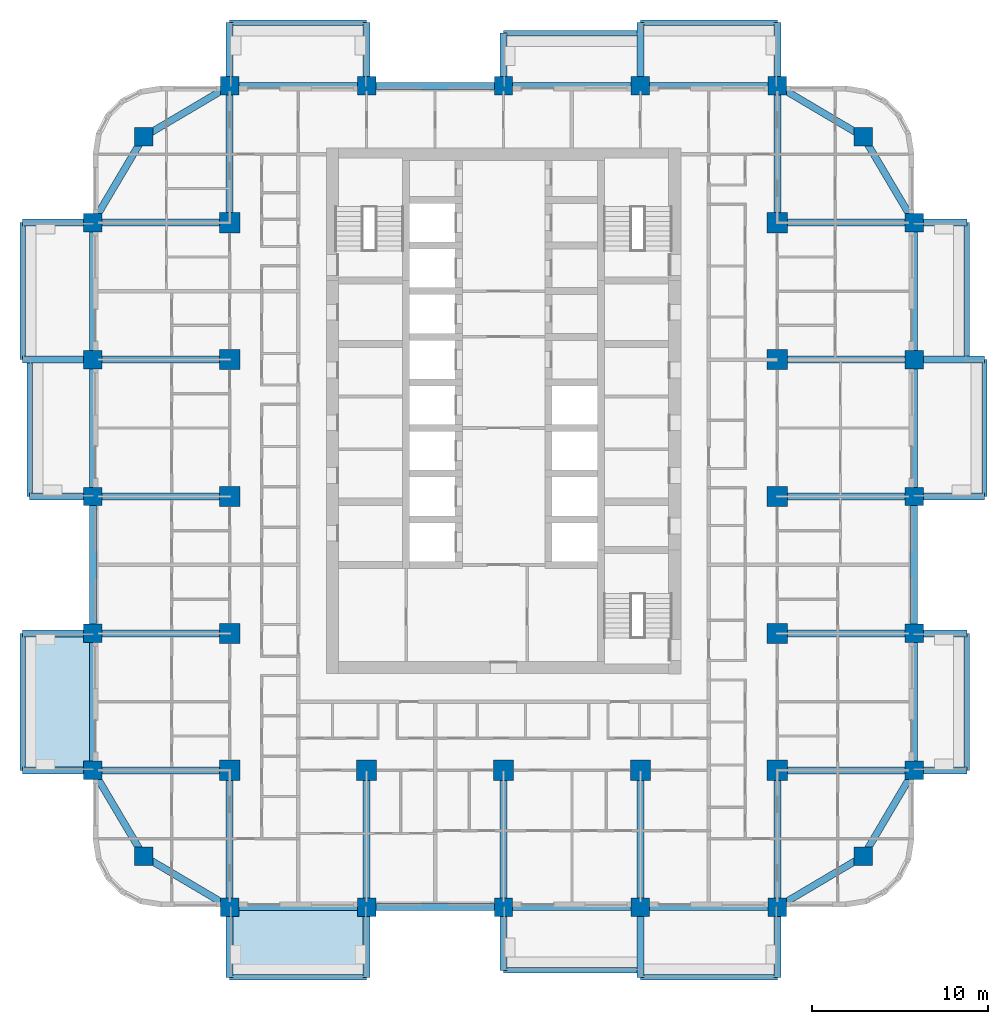
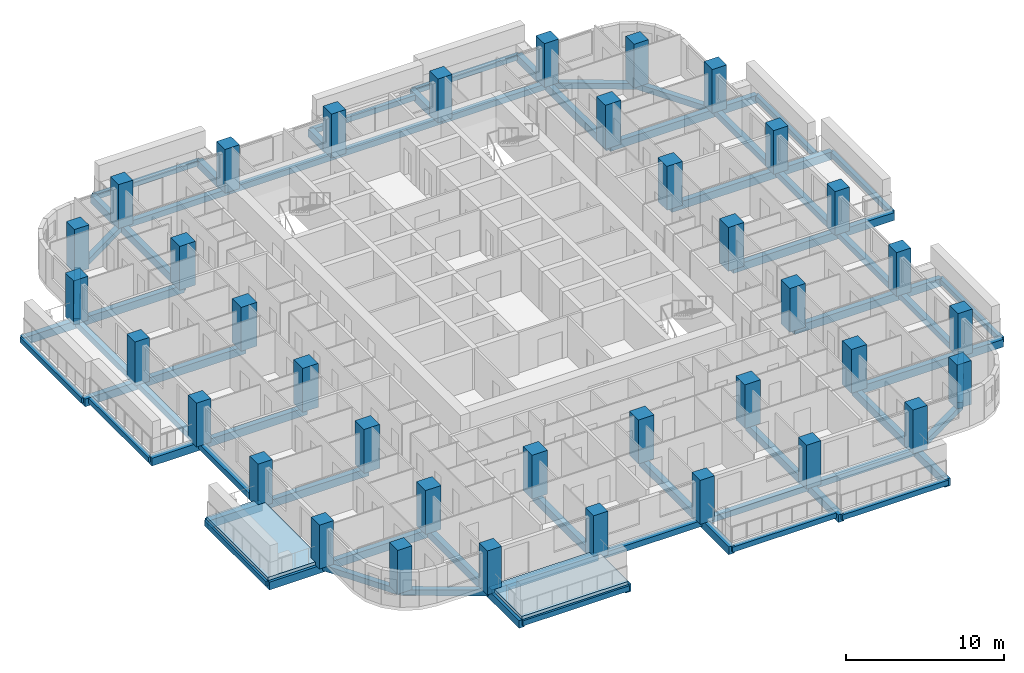
# One storey, part 1 of 18: 73 beams, 37 columns, 2 slabs.
"""IFC4 building model written with IfcOpenShell, lengths in metres."""

from ifc_helpers import new_model, si_unit, direction, frame, origin, origin_2d, place, context, subcontext, project, spatial, polyline, rectangle, outline, extrude, material, layer, layer_set, material_profile, profile_set, type_object, element, save


model = new_model("IFC4")

# Units and contexts
model_context = context("Model", 3, precision=1e-05, world=origin(), true_north=direction((0.0, 1.0)))
body_context = subcontext(model_context, "Body", "Model", "MODEL_VIEW")
ifc_project = project(units=[si_unit("LENGTHUNIT", "METRE"), si_unit("AREAUNIT", "SQUARE_METRE"), si_unit("VOLUMEUNIT", "CUBIC_METRE"), si_unit("PLANEANGLEUNIT", "RADIAN"), si_unit("MASSUNIT", "GRAM", prefix="KILO")], contexts=[model_context])

# Site, building, storey
site_placement = place(None, origin())
site = spatial("IfcSite", under=ifc_project, at=site_placement, CompositionType="ELEMENT")
building_placement = place(site_placement, origin())
building = spatial("IfcBuilding", under=site, at=building_placement, Name="Ludao Terraces", CompositionType="ELEMENT")
storey_placement = place(building_placement, frame((0.0, 0.0, 33.10009765625)))
storey = spatial("IfcBuildingStorey", under=building, at=storey_placement, Name="L08", CompositionType="ELEMENT", Elevation=33.10009765625)

# Columns
ifc_material_1 = material(Name="Concrete C60", Category="concrete")
ifc_material_profile_1 = material_profile(ifc_material_1, rectangle(XDim=1.050048828125, YDim=1.050048828125, at=origin_2d()), Name="1050 X 1050")
ifc_profile_set_1 = profile_set([ifc_material_profile_1], Name="Concrete C60")
column_type_1 = type_object("IfcColumnType", Name="RC column 1050x1050 C60", PredefinedType="COLUMN", material=ifc_profile_set_1)
for number, where, z_axis, x_axis, name in (
    (1, (64.5, 44.5, -0.25), (0.0, 0.0, 1.0), (1.0, 0.0, 0.0), "Column L08 C0029x0029"),
    (2, (105.5, 44.5, -0.25), (0.0, 0.0, 1.0), (1.0, 0.0, 0.0), "Column L08 C0439x0029"),
    (3, (64.5, 85.5, -0.25), (0.0, 0.0, 1.0), (1.0, 0.0, 0.0), "Column L08 C0029x0439"),
    (4, (105.5, 85.5, -0.25), (0.0, 0.0, 1.0), (1.0, 0.0, 0.0), "Column L08 C0439x0439"),
    (5, (61.60009765625, 49.39990234375, -0.25), (0.0, 0.0, 1.0), (1.0, 0.0, 0.0), "Column L08 F0000x0078"),
    (6, (108.39990234375, 49.39990234375, -0.25), (0.0, 0.0, 1.0), (1.0, 0.0, 0.0), "Column L08 F0468x0078"),
    (7, (69.39990234375, 41.60009765625, -0.25), (0.0, 0.0, 1.0), (1.0, 0.0, 0.0), "Column L08 F0078x0000"),
    (8, (69.39990234375, 88.39990234375, -0.25), (0.0, 0.0, 1.0), (1.0, 0.0, 0.0), "Column L08 F0078x0468"),
    (9, (61.60009765625, 57.199951171875, -0.25), (0.0, 0.0, 1.0), (1.0, 0.0, 0.0), "Column L08 F0000x0156"),
    (10, (108.39990234375, 57.199951171875, -0.25), (0.0, 0.0, 1.0), (1.0, 0.0, 0.0), "Column L08 F0468x0156"),
    (11, (77.199951171875, 41.60009765625, -0.25), (0.0, 0.0, 1.0), (1.0, 0.0, 0.0), "Column L08 F0156x0000"),
    (12, (77.199951171875, 88.39990234375, -0.25), (0.0, 0.0, 1.0), (1.0, 0.0, 0.0), "Column L08 F0156x0468"),
    (13, (61.60009765625, 65.0, -0.25), (0.0, 0.0, 1.0), (1.0, 0.0, 0.0), "Column L08 F0000x0234"),
    (14, (108.39990234375, 65.0, -0.25), (0.0, 0.0, 1.0), (1.0, 0.0, 0.0), "Column L08 F0468x0234"),
    (15, (85.0, 41.60009765625, -0.25), (0.0, 0.0, 1.0), (1.0, 0.0, 0.0), "Column L08 F0234x0000"),
    (16, (85.0, 88.39990234375, -0.25), (0.0, 0.0, 1.0), (1.0, 0.0, 0.0), "Column L08 F0234x0468"),
    (17, (61.60009765625, 72.800048828125, -0.25), (0.0, 0.0, 1.0), (1.0, 0.0, 0.0), "Column L08 F0000x0312"),
    (18, (108.39990234375, 72.800048828125, -0.25), (0.0, 0.0, 1.0), (1.0, 0.0, 0.0), "Column L08 F0468x0312"),
    (19, (92.800048828125, 41.60009765625, -0.25), (0.0, 0.0, 1.0), (1.0, 0.0, 0.0), "Column L08 F0312x0000"),
    (20, (92.800048828125, 88.39990234375, -0.25), (0.0, 0.0, 1.0), (1.0, 0.0, 0.0), "Column L08 F0312x0468"),
    (21, (61.60009765625, 80.60009765625, -0.25), (0.0, 0.0, 1.0), (1.0, 0.0, 0.0), "Column L08 F0000x0390"),
    (22, (108.39990234375, 80.60009765625, -0.25), (0.0, 0.0, 1.0), (1.0, 0.0, 0.0), "Column L08 F0468x0390"),
    (23, (100.60009765625, 41.60009765625, -0.25), (0.0, 0.0, 1.0), (1.0, 0.0, 0.0), "Column L08 F0390x0000"),
    (24, (100.60009765625, 88.39990234375, -0.25), (0.0, 0.0, 1.0), (1.0, 0.0, 0.0), "Column L08 F0390x0468"),
):
    element("IfcColumn", number, at=place(storey_placement, frame(where, z_axis=z_axis, x_axis=x_axis)), inside=storey, type_object=column_type_1, Name=name, PredefinedType="COLUMN", context=body_context, shape_type="SweptSolid", body=[
        extrude(rectangle(XDim=1.050048828125, YDim=1.050048828125, at=origin_2d()), origin(), (0.0, 0.0, 1.0), 3.39990234375),
    ])
ifc_material_profile_2 = material_profile(ifc_material_1, rectangle(XDim=1.14990234375, YDim=1.14990234375, at=origin_2d()), Name="1150 X 1150")
ifc_profile_set_2 = profile_set([ifc_material_profile_2], Name="Concrete C60")
column_type_2 = type_object("IfcColumnType", Name="RC column 1150x1150 C60", PredefinedType="COLUMN", material=ifc_profile_set_2)
for number, where, z_axis, x_axis, name in (
    (25, (69.39990234375, 49.39990234375, -0.25), (0.0, 0.0, 1.0), (1.0, 0.0, 0.0), "Column L08 S0078x0078"),
    (26, (69.39990234375, 57.199951171875, -0.25), (0.0, 0.0, 1.0), (1.0, 0.0, 0.0), "Column L08 S0078x0156"),
    (27, (69.39990234375, 65.0, -0.25), (0.0, 0.0, 1.0), (1.0, 0.0, 0.0), "Column L08 S0078x0234"),
    (28, (69.39990234375, 72.800048828125, -0.25), (0.0, 0.0, 1.0), (1.0, 0.0, 0.0), "Column L08 S0078x0312"),
    (29, (69.39990234375, 80.60009765625, -0.25), (0.0, 0.0, 1.0), (1.0, 0.0, 0.0), "Column L08 S0078x0390"),
    (30, (77.199951171875, 49.39990234375, -0.25), (0.0, 0.0, 1.0), (1.0, 0.0, 0.0), "Column L08 S0156x0078"),
    (31, (85.0, 49.39990234375, -0.25), (0.0, 0.0, 1.0), (1.0, 0.0, 0.0), "Column L08 S0234x0078"),
    (32, (92.800048828125, 49.39990234375, -0.25), (0.0, 0.0, 1.0), (1.0, 0.0, 0.0), "Column L08 S0312x0078"),
    (33, (100.60009765625, 49.39990234375, -0.25), (0.0, 0.0, 1.0), (1.0, 0.0, 0.0), "Column L08 S0390x0078"),
    (34, (100.60009765625, 57.199951171875, -0.25), (0.0, 0.0, 1.0), (1.0, 0.0, 0.0), "Column L08 S0390x0156"),
    (35, (100.60009765625, 65.0, -0.25), (0.0, 0.0, 1.0), (1.0, 0.0, 0.0), "Column L08 S0390x0234"),
    (36, (100.60009765625, 72.800048828125, -0.25), (0.0, 0.0, 1.0), (1.0, 0.0, 0.0), "Column L08 S0390x0312"),
    (37, (100.60009765625, 80.60009765625, -0.25), (0.0, 0.0, 1.0), (1.0, 0.0, 0.0), "Column L08 S0390x0390"),
):
    element("IfcColumn", number, at=place(storey_placement, frame(where, z_axis=z_axis, x_axis=x_axis)), inside=storey, type_object=column_type_2, Name=name, PredefinedType="COLUMN", context=body_context, shape_type="SweptSolid", body=[
        extrude(rectangle(XDim=1.14990234375, YDim=1.14990234375, at=origin_2d()), origin(), (0.0, 0.0, 1.0), 3.39990234375),
    ])

# Beams
ifc_material_2 = material(Name="Concrete C40", Category="concrete")
ifc_material_profile_3 = material_profile(ifc_material_2, rectangle(XDim=0.300048828125, YDim=0.39990234375, at=origin_2d()), Name="300 X 400")
ifc_profile_set_3 = profile_set([ifc_material_profile_3], Name="Concrete C40")
beam_type_1 = type_object("IfcBeamType", Name="RC beam 300x400 C40", PredefinedType="BEAM", material=ifc_profile_set_3)
for number, where, z_axis, x_axis, name in (
    (38, (69.39990234375, 37.60009765625, -0.4501953125), (1.0, 0.0, 0.0), (0.0, 1.0, 0.0), "Balcony edge beam L08 S1"),
    (39, (85.0, 38.0, -0.4501953125), (1.0, 0.0, 0.0), (0.0, 1.0, 0.0), "Balcony edge beam L08 S3"),
    (40, (92.800048828125, 37.60009765625, -0.4501953125), (1.0, 0.0, 0.0), (0.0, 1.0, 0.0), "Balcony edge beam L08 S4"),
    (41, (111.39990234375, 49.39990234375, -0.4501953125), (0.0, 1.0, 0.0), (-1.0, 0.0, 0.0), "Balcony edge beam L08 E1"),
    (42, (112.39990234375, 65.0, -0.4501953125), (0.0, 1.0, 0.0), (-1.0, 0.0, 0.0), "Balcony edge beam L08 E3"),
    (43, (111.39990234375, 72.800048828125, -0.4501953125), (0.0, 1.0, 0.0), (-1.0, 0.0, 0.0), "Balcony edge beam L08 E4"),
    (44, (69.39990234375, 92.0, -0.4501953125), (1.0, 0.0, 0.0), (0.0, 1.0, 0.0), "Balcony edge beam L08 N1"),
    (45, (85.0, 91.39990234375, -0.4501953125), (1.0, 0.0, 0.0), (0.0, 1.0, 0.0), "Balcony edge beam L08 N3"),
    (46, (92.800048828125, 92.0, -0.4501953125), (1.0, 0.0, 0.0), (0.0, 1.0, 0.0), "Balcony edge beam L08 N4"),
    (47, (57.60009765625, 49.39990234375, -0.4501953125), (0.0, 1.0, 0.0), (-1.0, 0.0, 0.0), "Balcony edge beam L08 W1"),
    (48, (58.0, 65.0, -0.4501953125), (0.0, 1.0, 0.0), (-1.0, 0.0, 0.0), "Balcony edge beam L08 W3"),
    (49, (57.60009765625, 72.800048828125, -0.4501953125), (0.0, 1.0, 0.0), (-1.0, 0.0, 0.0), "Balcony edge beam L08 W4"),
):
    element("IfcBeam", number, at=place(storey_placement, frame(where, z_axis=z_axis, x_axis=x_axis)), inside=storey, type_object=beam_type_1, Name=name, PredefinedType="BEAM", context=body_context, shape_type="SweptSolid", body=[
        extrude(rectangle(XDim=0.300048828125, YDim=0.39990234375, at=origin_2d()), origin(), (0.0, 0.0, 1.0), 7.800048828125),
    ])
ifc_material_profile_4 = material_profile(ifc_material_2, rectangle(XDim=0.39990234375, YDim=0.449951171875, at=origin_2d()), Name="400 X 450")
ifc_profile_set_4 = profile_set([ifc_material_profile_4], Name="Concrete C40")
beam_type_2 = type_object("IfcBeamType", Name="RC beam 400x450 C40", PredefinedType="BEAM", material=ifc_profile_set_4)
beam_1_placement = place(storey_placement, frame((64.5, 44.5, -0.47509765625), z_axis=(0.860579751256, -0.509315709288, 0.0), x_axis=(0.509315709288, 0.860579751256, 0.0)))
element("IfcBeam", 50, at=beam_1_placement, inside=storey, type_object=beam_type_2, Name="Spandrel beam L08 S1", PredefinedType="BEAM", context=body_context, shape_type="SweptSolid", body=[
    extrude(rectangle(XDim=0.39990234375, YDim=0.449951171875, at=origin_2d()), origin(), (0.0, 0.0, 1.0), 5.693603515625),
])
for number, where, z_axis, x_axis, name in (
    (51, (69.39990234375, 41.60009765625, -0.47509765625), (1.0, 0.0, 0.0), (0.0, 1.0, 0.0), "Spandrel beam L08 S2"),
    (52, (77.199951171875, 41.60009765625, -0.47509765625), (1.0, 0.0, 0.0), (0.0, 1.0, 0.0), "Spandrel beam L08 S3"),
    (53, (85.0, 41.60009765625, -0.47509765625), (1.0, 0.0, 0.0), (0.0, 1.0, 0.0), "Spandrel beam L08 S4"),
    (54, (92.800048828125, 41.60009765625, -0.47509765625), (1.0, 0.0, 0.0), (0.0, 1.0, 0.0), "Spandrel beam L08 S5"),
):
    element("IfcBeam", number, at=place(storey_placement, frame(where, z_axis=z_axis, x_axis=x_axis)), inside=storey, type_object=beam_type_2, Name=name, PredefinedType="BEAM", context=body_context, shape_type="SweptSolid", body=[
        extrude(rectangle(XDim=0.39990234375, YDim=0.449951171875, at=origin_2d()), origin(), (0.0, 0.0, 1.0), 7.800048828125),
    ])
for number, where, z_axis, x_axis, name in (
    (55, (100.60009765625, 41.60009765625, -0.47509765625), (0.860579751256, 0.509315709288, 0.0), (-0.509315709288, 0.860579751256, 0.0), "Spandrel beam L08 S6"),
    (56, (64.5, 85.5, -0.47509765625), (0.860579751256, 0.509315709288, 0.0), (-0.509315709288, 0.860579751256, 0.0), "Spandrel beam L08 N7"),
):
    element("IfcBeam", number, at=place(storey_placement, frame(where, z_axis=z_axis, x_axis=x_axis)), inside=storey, type_object=beam_type_2, Name=name, PredefinedType="BEAM", context=body_context, shape_type="SweptSolid", body=[
        extrude(rectangle(XDim=0.39990234375, YDim=0.449951171875, at=origin_2d()), origin(), (0.0, 0.0, 1.0), 5.693603515625),
    ])
for number, where, z_axis, x_axis, name in (
    (57, (69.39990234375, 88.39990234375, -0.47509765625), (1.0, 0.0, 0.0), (0.0, 1.0, 0.0), "Spandrel beam L08 N8"),
    (58, (77.199951171875, 88.39990234375, -0.47509765625), (1.0, 0.0, 0.0), (0.0, 1.0, 0.0), "Spandrel beam L08 N9"),
    (59, (85.0, 88.39990234375, -0.47509765625), (1.0, 0.0, 0.0), (0.0, 1.0, 0.0), "Spandrel beam L08 N10"),
    (60, (92.800048828125, 88.39990234375, -0.47509765625), (1.0, 0.0, 0.0), (0.0, 1.0, 0.0), "Spandrel beam L08 N11"),
):
    element("IfcBeam", number, at=place(storey_placement, frame(where, z_axis=z_axis, x_axis=x_axis)), inside=storey, type_object=beam_type_2, Name=name, PredefinedType="BEAM", context=body_context, shape_type="SweptSolid", body=[
        extrude(rectangle(XDim=0.39990234375, YDim=0.449951171875, at=origin_2d()), origin(), (0.0, 0.0, 1.0), 7.800048828125),
    ])
for number, where, z_axis, x_axis, name in (
    (61, (100.60009765625, 88.39990234375, -0.47509765625), (0.860579751256, -0.509315709288, 0.0), (0.509315709288, 0.860579751256, 0.0), "Spandrel beam L08 N12"),
    (62, (64.5, 44.5, -0.47509765625), (-0.509315709288, 0.860579751256, 0.0), (-0.860579751256, -0.509315709288, 0.0), "Spandrel beam L08 W13"),
):
    element("IfcBeam", number, at=place(storey_placement, frame(where, z_axis=z_axis, x_axis=x_axis)), inside=storey, type_object=beam_type_2, Name=name, PredefinedType="BEAM", context=body_context, shape_type="SweptSolid", body=[
        extrude(rectangle(XDim=0.39990234375, YDim=0.449951171875, at=origin_2d()), origin(), (0.0, 0.0, 1.0), 5.693603515625),
    ])
for number, where, z_axis, x_axis, name in (
    (63, (61.60009765625, 49.39990234375, -0.47509765625), (0.0, 1.0, 0.0), (-1.0, 0.0, 0.0), "Spandrel beam L08 W14"),
    (64, (61.60009765625, 57.199951171875, -0.47509765625), (0.0, 1.0, 0.0), (-1.0, 0.0, 0.0), "Spandrel beam L08 W15"),
    (65, (61.60009765625, 65.0, -0.47509765625), (0.0, 1.0, 0.0), (-1.0, 0.0, 0.0), "Spandrel beam L08 W16"),
    (66, (61.60009765625, 72.800048828125, -0.47509765625), (0.0, 1.0, 0.0), (-1.0, 0.0, 0.0), "Spandrel beam L08 W17"),
):
    element("IfcBeam", number, at=place(storey_placement, frame(where, z_axis=z_axis, x_axis=x_axis)), inside=storey, type_object=beam_type_2, Name=name, PredefinedType="BEAM", context=body_context, shape_type="SweptSolid", body=[
        extrude(rectangle(XDim=0.39990234375, YDim=0.449951171875, at=origin_2d()), origin(), (0.0, 0.0, 1.0), 7.800048828125),
    ])
for number, where, z_axis, x_axis, name in (
    (67, (61.60009765625, 80.60009765625, -0.47509765625), (0.509315709288, 0.860579751256, 0.0), (-0.860579751256, 0.509315709288, 0.0), "Spandrel beam L08 W18"),
    (68, (105.5, 44.5, -0.47509765625), (0.509315709288, 0.860579751256, 0.0), (-0.860579751256, 0.509315709288, 0.0), "Spandrel beam L08 E19"),
):
    element("IfcBeam", number, at=place(storey_placement, frame(where, z_axis=z_axis, x_axis=x_axis)), inside=storey, type_object=beam_type_2, Name=name, PredefinedType="BEAM", context=body_context, shape_type="SweptSolid", body=[
        extrude(rectangle(XDim=0.39990234375, YDim=0.449951171875, at=origin_2d()), origin(), (0.0, 0.0, 1.0), 5.693603515625),
    ])
for number, where, z_axis, x_axis, name in (
    (69, (108.39990234375, 49.39990234375, -0.47509765625), (0.0, 1.0, 0.0), (-1.0, 0.0, 0.0), "Spandrel beam L08 E20"),
    (70, (108.39990234375, 57.199951171875, -0.47509765625), (0.0, 1.0, 0.0), (-1.0, 0.0, 0.0), "Spandrel beam L08 E21"),
    (71, (108.39990234375, 65.0, -0.47509765625), (0.0, 1.0, 0.0), (-1.0, 0.0, 0.0), "Spandrel beam L08 E22"),
    (72, (108.39990234375, 72.800048828125, -0.47509765625), (0.0, 1.0, 0.0), (-1.0, 0.0, 0.0), "Spandrel beam L08 E23"),
):
    element("IfcBeam", number, at=place(storey_placement, frame(where, z_axis=z_axis, x_axis=x_axis)), inside=storey, type_object=beam_type_2, Name=name, PredefinedType="BEAM", context=body_context, shape_type="SweptSolid", body=[
        extrude(rectangle(XDim=0.39990234375, YDim=0.449951171875, at=origin_2d()), origin(), (0.0, 0.0, 1.0), 7.800048828125),
    ])
beam_2_placement = place(storey_placement, frame((108.39990234375, 80.60009765625, -0.47509765625), z_axis=(-0.509315709288, 0.860579751256, 0.0), x_axis=(-0.860579751256, -0.509315709288, 0.0)))
element("IfcBeam", 73, at=beam_2_placement, inside=storey, type_object=beam_type_2, Name="Spandrel beam L08 E24", PredefinedType="BEAM", context=body_context, shape_type="SweptSolid", body=[
    extrude(rectangle(XDim=0.39990234375, YDim=0.449951171875, at=origin_2d()), origin(), (0.0, 0.0, 1.0), 5.693603515625),
])
ifc_material_profile_5 = material_profile(ifc_material_2, rectangle(XDim=0.39990234375, YDim=0.60009765625, at=origin_2d()), Name="400 X 600")
ifc_profile_set_5 = profile_set([ifc_material_profile_5], Name="Concrete C40")
beam_type_3 = type_object("IfcBeamType", Name="RC beam 400x600 C40", PredefinedType="BEAM", material=ifc_profile_set_5)
beam_3_placement = place(storey_placement, frame((100.60009765625, 49.39990234375, -0.550048828125), z_axis=(1.0, 0.0, 0.0), x_axis=(0.0, 1.0, 0.0)))
element("IfcBeam", 74, at=beam_3_placement, inside=storey, type_object=beam_type_3, Name="Balcony beam L08 E494", PredefinedType="BEAM", context=body_context, shape_type="SweptSolid", body=[
    extrude(rectangle(XDim=0.39990234375, YDim=0.60009765625, at=origin_2d()), origin(), (0.0, 0.0, 1.0), 7.7998046875),
])
beam_4_placement = place(storey_placement, frame((108.39990234375, 49.39990234375, -0.550048828125), z_axis=(1.0, 0.0, 0.0), x_axis=(0.0, 1.0, 0.0)))
element("IfcBeam", 75, at=beam_4_placement, inside=storey, type_object=beam_type_3, Name="Balcony beam L08 E494", PredefinedType="BEAM", context=body_context, shape_type="SweptSolid", body=[
    extrude(rectangle(XDim=0.39990234375, YDim=0.60009765625, at=origin_2d()), origin(), (0.0, 0.0, 1.0), 3.0),
])
beam_5_placement = place(storey_placement, frame((100.60009765625, 57.199951171875, -0.550048828125), z_axis=(1.0, 0.0, 0.0), x_axis=(0.0, 1.0, 0.0)))
element("IfcBeam", 76, at=beam_5_placement, inside=storey, type_object=beam_type_3, Name="Balcony beam L08 E572", PredefinedType="BEAM", context=body_context, shape_type="SweptSolid", body=[
    extrude(rectangle(XDim=0.39990234375, YDim=0.60009765625, at=origin_2d()), origin(), (0.0, 0.0, 1.0), 7.7998046875),
])
beam_6_placement = place(storey_placement, frame((108.39990234375, 57.199951171875, -0.550048828125), z_axis=(1.0, 0.0, 0.0), x_axis=(0.0, 1.0, 0.0)))
element("IfcBeam", 77, at=beam_6_placement, inside=storey, type_object=beam_type_3, Name="Balcony beam L08 E572", PredefinedType="BEAM", context=body_context, shape_type="SweptSolid", body=[
    extrude(rectangle(XDim=0.39990234375, YDim=0.60009765625, at=origin_2d()), origin(), (0.0, 0.0, 1.0), 3.0),
])
beam_7_placement = place(storey_placement, frame((100.60009765625, 65.0, -0.550048828125), z_axis=(1.0, 0.0, 0.0), x_axis=(0.0, 1.0, 0.0)))
element("IfcBeam", 78, at=beam_7_placement, inside=storey, type_object=beam_type_3, Name="Balcony beam L08 E650", PredefinedType="BEAM", context=body_context, shape_type="SweptSolid", body=[
    extrude(rectangle(XDim=0.39990234375, YDim=0.60009765625, at=origin_2d()), origin(), (0.0, 0.0, 1.0), 7.7998046875),
])
beam_8_placement = place(storey_placement, frame((108.39990234375, 65.0, -0.550048828125), z_axis=(1.0, 0.0, 0.0), x_axis=(0.0, 1.0, 0.0)))
element("IfcBeam", 79, at=beam_8_placement, inside=storey, type_object=beam_type_3, Name="Balcony beam L08 E650", PredefinedType="BEAM", context=body_context, shape_type="SweptSolid", body=[
    extrude(rectangle(XDim=0.39990234375, YDim=0.60009765625, at=origin_2d()), origin(), (0.0, 0.0, 1.0), 4.0),
])
beam_9_placement = place(storey_placement, frame((100.60009765625, 72.800048828125, -0.550048828125), z_axis=(1.0, 0.0, 0.0), x_axis=(0.0, 1.0, 0.0)))
element("IfcBeam", 80, at=beam_9_placement, inside=storey, type_object=beam_type_3, Name="Balcony beam L08 E728", PredefinedType="BEAM", context=body_context, shape_type="SweptSolid", body=[
    extrude(rectangle(XDim=0.39990234375, YDim=0.60009765625, at=origin_2d()), origin(), (0.0, 0.0, 1.0), 7.7998046875),
])
beam_10_placement = place(storey_placement, frame((108.39990234375, 72.800048828125, -0.550048828125), z_axis=(1.0, 0.0, 0.0), x_axis=(0.0, 1.0, 0.0)))
element("IfcBeam", 81, at=beam_10_placement, inside=storey, type_object=beam_type_3, Name="Balcony beam L08 E728", PredefinedType="BEAM", context=body_context, shape_type="SweptSolid", body=[
    extrude(rectangle(XDim=0.39990234375, YDim=0.60009765625, at=origin_2d()), origin(), (0.0, 0.0, 1.0), 4.0),
])
beam_11_placement = place(storey_placement, frame((100.60009765625, 80.60009765625, -0.550048828125), z_axis=(1.0, 0.0, 0.0), x_axis=(0.0, 1.0, 0.0)))
element("IfcBeam", 82, at=beam_11_placement, inside=storey, type_object=beam_type_3, Name="Balcony beam L08 E806", PredefinedType="BEAM", context=body_context, shape_type="SweptSolid", body=[
    extrude(rectangle(XDim=0.39990234375, YDim=0.60009765625, at=origin_2d()), origin(), (0.0, 0.0, 1.0), 7.7998046875),
])
beam_12_placement = place(storey_placement, frame((108.39990234375, 80.60009765625, -0.550048828125), z_axis=(1.0, 0.0, 0.0), x_axis=(0.0, 1.0, 0.0)))
element("IfcBeam", 83, at=beam_12_placement, inside=storey, type_object=beam_type_3, Name="Balcony beam L08 E806", PredefinedType="BEAM", context=body_context, shape_type="SweptSolid", body=[
    extrude(rectangle(XDim=0.39990234375, YDim=0.60009765625, at=origin_2d()), origin(), (0.0, 0.0, 1.0), 3.0),
])
beam_13_placement = place(storey_placement, frame((100.60009765625, 80.60009765625, -0.550048828125), z_axis=(0.0, 1.0, 0.0), x_axis=(-1.0, 0.0, 0.0)))
element("IfcBeam", 84, at=beam_13_placement, inside=storey, type_object=beam_type_3, Name="Balcony beam L08 N1006", PredefinedType="BEAM", context=body_context, shape_type="SweptSolid", body=[
    extrude(rectangle(XDim=0.39990234375, YDim=0.60009765625, at=origin_2d()), origin(), (0.0, 0.0, 1.0), 7.7998046875),
])
beam_14_placement = place(storey_placement, frame((100.60009765625, 88.39990234375, -0.550048828125), z_axis=(0.0, 1.0, 0.0), x_axis=(-1.0, 0.0, 0.0)))
element("IfcBeam", 85, at=beam_14_placement, inside=storey, type_object=beam_type_3, Name="Balcony beam L08 N1006", PredefinedType="BEAM", context=body_context, shape_type="SweptSolid", body=[
    extrude(rectangle(XDim=0.39990234375, YDim=0.60009765625, at=origin_2d()), origin(), (0.0, 0.0, 1.0), 3.60009765625),
])
beam_15_placement = place(storey_placement, frame((69.39990234375, 80.60009765625, -0.550048828125), z_axis=(0.0, 1.0, 0.0), x_axis=(-1.0, 0.0, 0.0)))
element("IfcBeam", 86, at=beam_15_placement, inside=storey, type_object=beam_type_3, Name="Balcony beam L08 N694", PredefinedType="BEAM", context=body_context, shape_type="SweptSolid", body=[
    extrude(rectangle(XDim=0.39990234375, YDim=0.60009765625, at=origin_2d()), origin(), (0.0, 0.0, 1.0), 7.7998046875),
])
for number, where, z_axis, x_axis, name in (
    (87, (69.39990234375, 88.39990234375, -0.550048828125), (0.0, 1.0, 0.0), (-1.0, 0.0, 0.0), "Balcony beam L08 N694"),
    (88, (77.199951171875, 88.39990234375, -0.550048828125), (0.0, 1.0, 0.0), (-1.0, 0.0, 0.0), "Balcony beam L08 N772"),
):
    element("IfcBeam", number, at=place(storey_placement, frame(where, z_axis=z_axis, x_axis=x_axis)), inside=storey, type_object=beam_type_3, Name=name, PredefinedType="BEAM", context=body_context, shape_type="SweptSolid", body=[
        extrude(rectangle(XDim=0.39990234375, YDim=0.60009765625, at=origin_2d()), origin(), (0.0, 0.0, 1.0), 3.60009765625),
    ])
beam_16_placement = place(storey_placement, frame((85.0, 88.39990234375, -0.550048828125), z_axis=(0.0, 1.0, 0.0), x_axis=(-1.0, 0.0, 0.0)))
element("IfcBeam", 89, at=beam_16_placement, inside=storey, type_object=beam_type_3, Name="Balcony beam L08 N850", PredefinedType="BEAM", context=body_context, shape_type="SweptSolid", body=[
    extrude(rectangle(XDim=0.39990234375, YDim=0.60009765625, at=origin_2d()), origin(), (0.0, 0.0, 1.0), 3.0),
])
beam_17_placement = place(storey_placement, frame((92.800048828125, 88.39990234375, -0.550048828125), z_axis=(0.0, 1.0, 0.0), x_axis=(-1.0, 0.0, 0.0)))
element("IfcBeam", 90, at=beam_17_placement, inside=storey, type_object=beam_type_3, Name="Balcony beam L08 N928", PredefinedType="BEAM", context=body_context, shape_type="SweptSolid", body=[
    extrude(rectangle(XDim=0.39990234375, YDim=0.60009765625, at=origin_2d()), origin(), (0.0, 0.0, 1.0), 3.60009765625),
])
beam_18_placement = place(storey_placement, frame((100.60009765625, 49.39990234375, -0.550048828125), z_axis=(0.0, -1.0, 0.0), x_axis=(1.0, 0.0, 0.0)))
element("IfcBeam", 91, at=beam_18_placement, inside=storey, type_object=beam_type_3, Name="Balcony beam L08 S1006", PredefinedType="BEAM", context=body_context, shape_type="SweptSolid", body=[
    extrude(rectangle(XDim=0.39990234375, YDim=0.60009765625, at=origin_2d()), origin(), (0.0, 0.0, 1.0), 7.7998046875),
])
beam_19_placement = place(storey_placement, frame((100.60009765625, 41.60009765625, -0.550048828125), z_axis=(0.0, -1.0, 0.0), x_axis=(1.0, 0.0, 0.0)))
element("IfcBeam", 92, at=beam_19_placement, inside=storey, type_object=beam_type_3, Name="Balcony beam L08 S1006", PredefinedType="BEAM", context=body_context, shape_type="SweptSolid", body=[
    extrude(rectangle(XDim=0.39990234375, YDim=0.60009765625, at=origin_2d()), origin(), (0.0, 0.0, 1.0), 4.0),
])
beam_20_placement = place(storey_placement, frame((69.39990234375, 49.39990234375, -0.550048828125), z_axis=(0.0, -1.0, 0.0), x_axis=(1.0, 0.0, 0.0)))
element("IfcBeam", 93, at=beam_20_placement, inside=storey, type_object=beam_type_3, Name="Balcony beam L08 S694", PredefinedType="BEAM", context=body_context, shape_type="SweptSolid", body=[
    extrude(rectangle(XDim=0.39990234375, YDim=0.60009765625, at=origin_2d()), origin(), (0.0, 0.0, 1.0), 7.7998046875),
])
beam_21_placement = place(storey_placement, frame((69.39990234375, 41.60009765625, -0.550048828125), z_axis=(0.0, -1.0, 0.0), x_axis=(1.0, 0.0, 0.0)))
element("IfcBeam", 94, at=beam_21_placement, inside=storey, type_object=beam_type_3, Name="Balcony beam L08 S694", PredefinedType="BEAM", context=body_context, shape_type="SweptSolid", body=[
    extrude(rectangle(XDim=0.39990234375, YDim=0.60009765625, at=origin_2d()), origin(), (0.0, 0.0, 1.0), 4.0),
])
beam_22_placement = place(storey_placement, frame((77.199951171875, 49.39990234375, -0.550048828125), z_axis=(0.0, -1.0, 0.0), x_axis=(1.0, 0.0, 0.0)))
element("IfcBeam", 95, at=beam_22_placement, inside=storey, type_object=beam_type_3, Name="Balcony beam L08 S772", PredefinedType="BEAM", context=body_context, shape_type="SweptSolid", body=[
    extrude(rectangle(XDim=0.39990234375, YDim=0.60009765625, at=origin_2d()), origin(), (0.0, 0.0, 1.0), 7.7998046875),
])
beam_23_placement = place(storey_placement, frame((77.199951171875, 41.60009765625, -0.550048828125), z_axis=(0.0, -1.0, 0.0), x_axis=(1.0, 0.0, 0.0)))
element("IfcBeam", 96, at=beam_23_placement, inside=storey, type_object=beam_type_3, Name="Balcony beam L08 S772", PredefinedType="BEAM", context=body_context, shape_type="SweptSolid", body=[
    extrude(rectangle(XDim=0.39990234375, YDim=0.60009765625, at=origin_2d()), origin(), (0.0, 0.0, 1.0), 4.0),
])
beam_24_placement = place(storey_placement, frame((85.0, 49.39990234375, -0.550048828125), z_axis=(0.0, -1.0, 0.0), x_axis=(1.0, 0.0, 0.0)))
element("IfcBeam", 97, at=beam_24_placement, inside=storey, type_object=beam_type_3, Name="Balcony beam L08 S850", PredefinedType="BEAM", context=body_context, shape_type="SweptSolid", body=[
    extrude(rectangle(XDim=0.39990234375, YDim=0.60009765625, at=origin_2d()), origin(), (0.0, 0.0, 1.0), 7.7998046875),
])
beam_25_placement = place(storey_placement, frame((85.0, 41.60009765625, -0.550048828125), z_axis=(0.0, -1.0, 0.0), x_axis=(1.0, 0.0, 0.0)))
element("IfcBeam", 98, at=beam_25_placement, inside=storey, type_object=beam_type_3, Name="Balcony beam L08 S850", PredefinedType="BEAM", context=body_context, shape_type="SweptSolid", body=[
    extrude(rectangle(XDim=0.39990234375, YDim=0.60009765625, at=origin_2d()), origin(), (0.0, 0.0, 1.0), 3.60009765625),
])
beam_26_placement = place(storey_placement, frame((92.800048828125, 49.39990234375, -0.550048828125), z_axis=(0.0, -1.0, 0.0), x_axis=(1.0, 0.0, 0.0)))
element("IfcBeam", 99, at=beam_26_placement, inside=storey, type_object=beam_type_3, Name="Balcony beam L08 S928", PredefinedType="BEAM", context=body_context, shape_type="SweptSolid", body=[
    extrude(rectangle(XDim=0.39990234375, YDim=0.60009765625, at=origin_2d()), origin(), (0.0, 0.0, 1.0), 7.7998046875),
])
beam_27_placement = place(storey_placement, frame((92.800048828125, 41.60009765625, -0.550048828125), z_axis=(0.0, -1.0, 0.0), x_axis=(1.0, 0.0, 0.0)))
element("IfcBeam", 100, at=beam_27_placement, inside=storey, type_object=beam_type_3, Name="Balcony beam L08 S928", PredefinedType="BEAM", context=body_context, shape_type="SweptSolid", body=[
    extrude(rectangle(XDim=0.39990234375, YDim=0.60009765625, at=origin_2d()), origin(), (0.0, 0.0, 1.0), 4.0),
])
beam_28_placement = place(storey_placement, frame((69.39990234375, 49.39990234375, -0.550048828125), z_axis=(-1.0, 0.0, 0.0), x_axis=(0.0, -1.0, 0.0)))
element("IfcBeam", 101, at=beam_28_placement, inside=storey, type_object=beam_type_3, Name="Balcony beam L08 W494", PredefinedType="BEAM", context=body_context, shape_type="SweptSolid", body=[
    extrude(rectangle(XDim=0.39990234375, YDim=0.60009765625, at=origin_2d()), origin(), (0.0, 0.0, 1.0), 7.7998046875),
])
beam_29_placement = place(storey_placement, frame((61.60009765625, 49.39990234375, -0.550048828125), z_axis=(-1.0, 0.0, 0.0), x_axis=(0.0, -1.0, 0.0)))
element("IfcBeam", 102, at=beam_29_placement, inside=storey, type_object=beam_type_3, Name="Balcony beam L08 W494", PredefinedType="BEAM", context=body_context, shape_type="SweptSolid", body=[
    extrude(rectangle(XDim=0.39990234375, YDim=0.60009765625, at=origin_2d()), origin(), (0.0, 0.0, 1.0), 4.0),
])
beam_30_placement = place(storey_placement, frame((69.39990234375, 57.199951171875, -0.550048828125), z_axis=(-1.0, 0.0, 0.0), x_axis=(0.0, -1.0, 0.0)))
element("IfcBeam", 103, at=beam_30_placement, inside=storey, type_object=beam_type_3, Name="Balcony beam L08 W572", PredefinedType="BEAM", context=body_context, shape_type="SweptSolid", body=[
    extrude(rectangle(XDim=0.39990234375, YDim=0.60009765625, at=origin_2d()), origin(), (0.0, 0.0, 1.0), 7.7998046875),
])
beam_31_placement = place(storey_placement, frame((61.60009765625, 57.199951171875, -0.550048828125), z_axis=(-1.0, 0.0, 0.0), x_axis=(0.0, -1.0, 0.0)))
element("IfcBeam", 104, at=beam_31_placement, inside=storey, type_object=beam_type_3, Name="Balcony beam L08 W572", PredefinedType="BEAM", context=body_context, shape_type="SweptSolid", body=[
    extrude(rectangle(XDim=0.39990234375, YDim=0.60009765625, at=origin_2d()), origin(), (0.0, 0.0, 1.0), 4.0),
])
beam_32_placement = place(storey_placement, frame((69.39990234375, 65.0, -0.550048828125), z_axis=(-1.0, 0.0, 0.0), x_axis=(0.0, -1.0, 0.0)))
element("IfcBeam", 105, at=beam_32_placement, inside=storey, type_object=beam_type_3, Name="Balcony beam L08 W650", PredefinedType="BEAM", context=body_context, shape_type="SweptSolid", body=[
    extrude(rectangle(XDim=0.39990234375, YDim=0.60009765625, at=origin_2d()), origin(), (0.0, 0.0, 1.0), 7.7998046875),
])
beam_33_placement = place(storey_placement, frame((61.60009765625, 65.0, -0.550048828125), z_axis=(-1.0, 0.0, 0.0), x_axis=(0.0, -1.0, 0.0)))
element("IfcBeam", 106, at=beam_33_placement, inside=storey, type_object=beam_type_3, Name="Balcony beam L08 W650", PredefinedType="BEAM", context=body_context, shape_type="SweptSolid", body=[
    extrude(rectangle(XDim=0.39990234375, YDim=0.60009765625, at=origin_2d()), origin(), (0.0, 0.0, 1.0), 3.60009765625),
])
beam_34_placement = place(storey_placement, frame((69.39990234375, 72.800048828125, -0.550048828125), z_axis=(-1.0, 0.0, 0.0), x_axis=(0.0, -1.0, 0.0)))
element("IfcBeam", 107, at=beam_34_placement, inside=storey, type_object=beam_type_3, Name="Balcony beam L08 W728", PredefinedType="BEAM", context=body_context, shape_type="SweptSolid", body=[
    extrude(rectangle(XDim=0.39990234375, YDim=0.60009765625, at=origin_2d()), origin(), (0.0, 0.0, 1.0), 7.7998046875),
])
beam_35_placement = place(storey_placement, frame((61.60009765625, 72.800048828125, -0.550048828125), z_axis=(-1.0, 0.0, 0.0), x_axis=(0.0, -1.0, 0.0)))
element("IfcBeam", 108, at=beam_35_placement, inside=storey, type_object=beam_type_3, Name="Balcony beam L08 W728", PredefinedType="BEAM", context=body_context, shape_type="SweptSolid", body=[
    extrude(rectangle(XDim=0.39990234375, YDim=0.60009765625, at=origin_2d()), origin(), (0.0, 0.0, 1.0), 4.0),
])
beam_36_placement = place(storey_placement, frame((69.39990234375, 80.60009765625, -0.550048828125), z_axis=(-1.0, 0.0, 0.0), x_axis=(0.0, -1.0, 0.0)))
element("IfcBeam", 109, at=beam_36_placement, inside=storey, type_object=beam_type_3, Name="Balcony beam L08 W806", PredefinedType="BEAM", context=body_context, shape_type="SweptSolid", body=[
    extrude(rectangle(XDim=0.39990234375, YDim=0.60009765625, at=origin_2d()), origin(), (0.0, 0.0, 1.0), 7.7998046875),
])
beam_37_placement = place(storey_placement, frame((61.60009765625, 80.60009765625, -0.550048828125), z_axis=(-1.0, 0.0, 0.0), x_axis=(0.0, -1.0, 0.0)))
element("IfcBeam", 110, at=beam_37_placement, inside=storey, type_object=beam_type_3, Name="Balcony beam L08 W806", PredefinedType="BEAM", context=body_context, shape_type="SweptSolid", body=[
    extrude(rectangle(XDim=0.39990234375, YDim=0.60009765625, at=origin_2d()), origin(), (0.0, 0.0, 1.0), 4.0),
])

# Slabs
ifc_layer = layer(ifc_material_2, 0.25)
ifc_layer_set = layer_set([ifc_layer], Name="Balcony slab 250 C40")
slab_type = type_object("IfcSlabType", Name="Balcony slab 250 C40", PredefinedType="USERDEFINED", material=ifc_layer_set)
slab_1_placement = place(storey_placement, frame((0.0, 0.0, -0.25)))
element("IfcSlab", 111, at=slab_1_placement, inside=storey, type_object=slab_type, Name="Balcony L08 S1", ObjectType="BALCONY", PredefinedType="USERDEFINED", context=body_context, shape_type="SweptSolid", body=[
    extrude(outline(polyline([(69.39990234375, 37.60009765625), (77.199951171875, 37.60009765625), (77.199951171875, 41.60009765625), (69.39990234375, 41.60009765625), (69.39990234375, 37.60009765625)])), origin(), (0.0, 0.0, 1.0), 0.25),
])
slab_2_placement = place(storey_placement, frame((0.0, 0.0, -0.25)))
element("IfcSlab", 112, at=slab_2_placement, inside=storey, type_object=slab_type, Name="Balcony L08 W1", ObjectType="BALCONY", PredefinedType="USERDEFINED", context=body_context, shape_type="SweptSolid", body=[
    extrude(outline(polyline([(57.60009765625, 49.39990234375), (61.60009765625, 49.39990234375), (61.60009765625, 57.199951171875), (57.60009765625, 57.199951171875), (57.60009765625, 49.39990234375)])), origin(), (0.0, 0.0, 1.0), 0.25),
])

save(model, "model.ifc")
